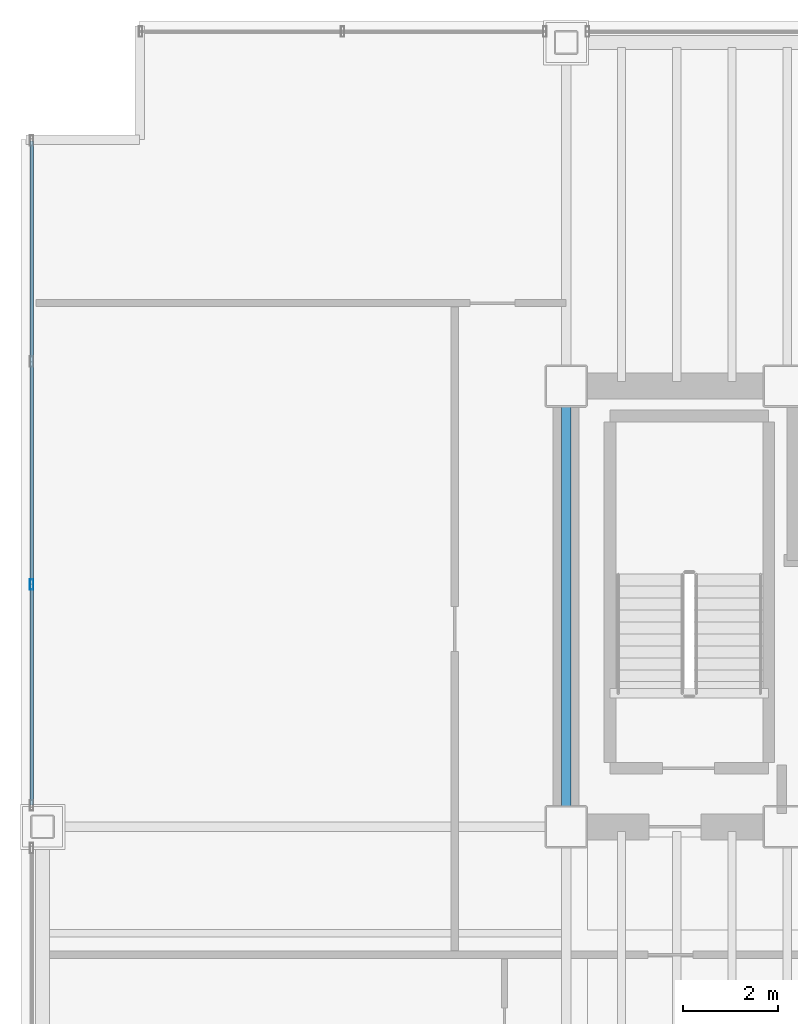
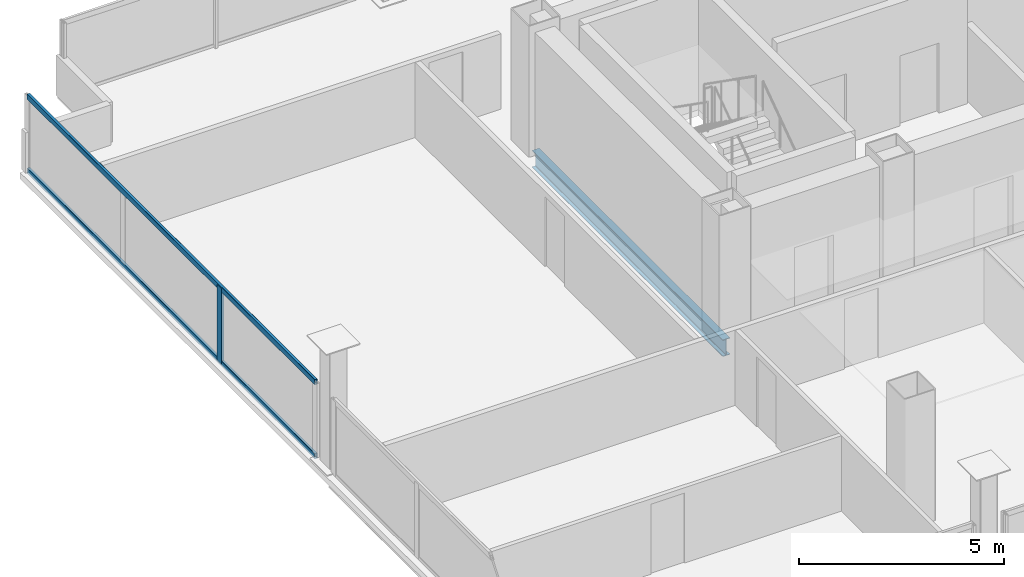
# One storey, part 6 of 19: 3 members, 1 beam, 1 element without a shape of its own.
"""IFC4 building model written with IfcOpenShell, lengths in metres."""

from ifc_helpers import new_model, si_unit, direction, frame, origin, origin_2d, place, context, subcontext, project, spatial, hollow_rectangle, i_section, extrude, material, material_profile, profile_set, type_object, element, aggregate, save


model = new_model("IFC4")

# Units and contexts
model_context = context("Model", 3, precision=1e-05, world=origin(), true_north=direction((0.0, 1.0)))
body_context = subcontext(model_context, "Body", "Model", "MODEL_VIEW")
ifc_project = project(units=[si_unit("LENGTHUNIT", "METRE"), si_unit("AREAUNIT", "SQUARE_METRE"), si_unit("VOLUMEUNIT", "CUBIC_METRE"), si_unit("PLANEANGLEUNIT", "RADIAN"), si_unit("MASSUNIT", "GRAM", prefix="KILO")], contexts=[model_context])

# Site, building, storey
site_placement = place(None, origin())
site = spatial("IfcSite", under=ifc_project, at=site_placement, CompositionType="ELEMENT")
building_placement = place(site_placement, origin())
building = spatial("IfcBuilding", under=site, at=building_placement, Name="Noeulbin Bourse Tower", CompositionType="ELEMENT")
storey_placement = place(building_placement, frame((0.0, 0.0, 165.60009765625)))
storey = spatial("IfcBuildingStorey", under=building, at=storey_placement, Name="L41", CompositionType="ELEMENT", Elevation=165.60009765625)

# Beam
ifc_material_1 = material(Name="Steel S355", Category="steel")
ifc_material_profile_1 = material_profile(ifc_material_1, i_section(OverallWidth=0.199951171875, OverallDepth=0.5, WebThickness=0.010009765625, FlangeThickness=0.01611328125, FilletRadius=0.02001953125, at=origin_2d()), Name="H-500x200x10x16", Category="LoadBearing")
ifc_profile_set_1 = profile_set([ifc_material_profile_1], Name="Steel S355")
beam_type = type_object("IfcBeamType", Name="BM-GRD-500", PredefinedType="USERDEFINED", material=ifc_profile_set_1)
beam_placement = place(storey_placement, frame((13.5, 29.0, -0.43017578125), z_axis=(0.0, 1.0, 0.0), x_axis=(-1.0, 0.0, 0.0)))
element("IfcBeam", 1, at=beam_placement, inside=storey, type_object=beam_type, Name="Tower Primary Girder NS L41-1.3", ObjectType="GIRDER", PredefinedType="USERDEFINED", context=body_context, shape_type="SweptSolid", body=[
    extrude(i_section(OverallWidth=0.199951171875, OverallDepth=0.5, WebThickness=0.010009765625, FlangeThickness=0.01611328125, FilletRadius=0.02001953125, at=origin_2d()), origin(), (0.0, 0.0, 1.0), 9.300048828125),
])

# Curtain wall, members
ifc_material_2 = material(Name="Dark Tinted Triple Glazing", Category="glass")
curtain_wall_type = type_object("IfcCurtainWallType", Name="CW-SYS-3", PredefinedType="NOTDEFINED", material=ifc_material_2)
curtain_wall_placement = place(storey_placement, origin())
curtain_wall = element("IfcCurtainWall", 2, at=curtain_wall_placement, inside=storey, type_object=curtain_wall_type, Name="Unitised Curtain Wall CW-L41-W-S2", PredefinedType="NOTDEFINED")
ifc_material_3 = material(Name="Anodised Aluminium 6063-T6", Category="aluminium")
ifc_material_profile_2 = material_profile(ifc_material_3, hollow_rectangle(XDim=0.074951171875, YDim=0.219970703125, WallThickness=0.0048828125, InnerFilletRadius=0.00244140625, OuterFilletRadius=0.0048828125, at=origin_2d()), Name="ALU-MULL-75x220x5", Category="LoadBearing")
ifc_profile_set_2 = profile_set([ifc_material_profile_2], Name="Anodised Aluminium 6063-T6")
member_type_1 = type_object("IfcMemberType", Name="CW-SYS-3-MUL", PredefinedType="MULLION", material=ifc_profile_set_2)
member_1_placement = place(storey_placement, frame((2.219970703125, 34.11328125, -0.02001953125), z_axis=(0.0, 0.0, 1.0), x_axis=(1.0, 0.0, 0.0)))
member_1 = element("IfcMember", 3, at=member_1_placement, type_object=member_type_1, Name="Curtain Wall Mullion CW-L41-W-S2-M01", PredefinedType="MULLION", context=body_context, shape_type="SweptSolid", body=[
    extrude(hollow_rectangle(XDim=0.074951171875, YDim=0.219970703125, WallThickness=0.0048828125, InnerFilletRadius=0.00244140625, OuterFilletRadius=0.0048828125, at=origin_2d()), origin(), (0.0, 0.0, 1.0), 2.260009765625),
])
ifc_material_profile_3 = material_profile(ifc_material_3, hollow_rectangle(XDim=0.074951171875, YDim=0.159912109375, WallThickness=0.0048828125, InnerFilletRadius=0.00244140625, OuterFilletRadius=0.0048828125, at=origin_2d()), Name="ALU-TRAN-75x160x5", Category="LoadBearing")
ifc_profile_set_3 = profile_set([ifc_material_profile_3], Name="Anodised Aluminium 6063-T6")
member_type_2 = type_object("IfcMemberType", Name="CW-SYS-3-TRN", PredefinedType="USERDEFINED", material=ifc_profile_set_3)
member_2_placement = place(storey_placement, frame((2.219970703125, 29.4599609375, 0.010009765625), z_axis=(0.0, 1.0, 0.0), x_axis=(-1.0, 0.0, 0.0)))
member_2 = element("IfcMember", 4, at=member_2_placement, type_object=member_type_2, Name="Curtain Wall Transom CW-L41-W-S2-T00", ObjectType="TRANSOM", PredefinedType="USERDEFINED", context=body_context, shape_type="SweptSolid", body=[
    extrude(hollow_rectangle(XDim=0.074951171875, YDim=0.159912109375, WallThickness=0.0048828125, InnerFilletRadius=0.00244140625, OuterFilletRadius=0.0048828125, at=origin_2d()), origin(), (0.0, 0.0, 1.0), 14.010009765625),
])
member_3_placement = place(storey_placement, frame((2.219970703125, 29.4599609375, 2.2099609375), z_axis=(0.0, 1.0, 0.0), x_axis=(-1.0, 0.0, 0.0)))
member_3 = element("IfcMember", 5, at=member_3_placement, type_object=member_type_2, Name="Curtain Wall Transom CW-L41-W-S2-T01", ObjectType="TRANSOM", PredefinedType="USERDEFINED", context=body_context, shape_type="SweptSolid", body=[
    extrude(hollow_rectangle(XDim=0.074951171875, YDim=0.159912109375, WallThickness=0.0048828125, InnerFilletRadius=0.00244140625, OuterFilletRadius=0.0048828125, at=origin_2d()), origin(), (0.0, 0.0, 1.0), 14.010009765625),
])
aggregate(curtain_wall, [member_1, member_2, member_3])

save(model, "model.ifc")
